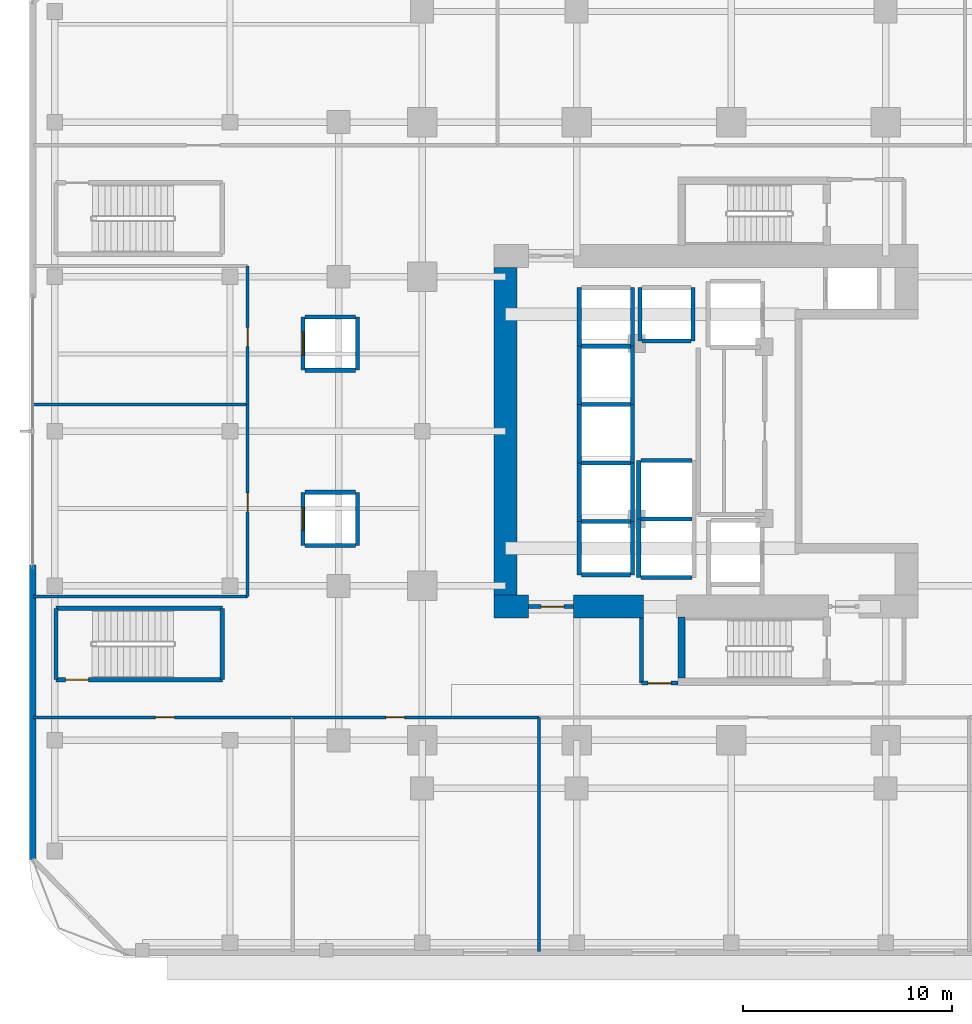
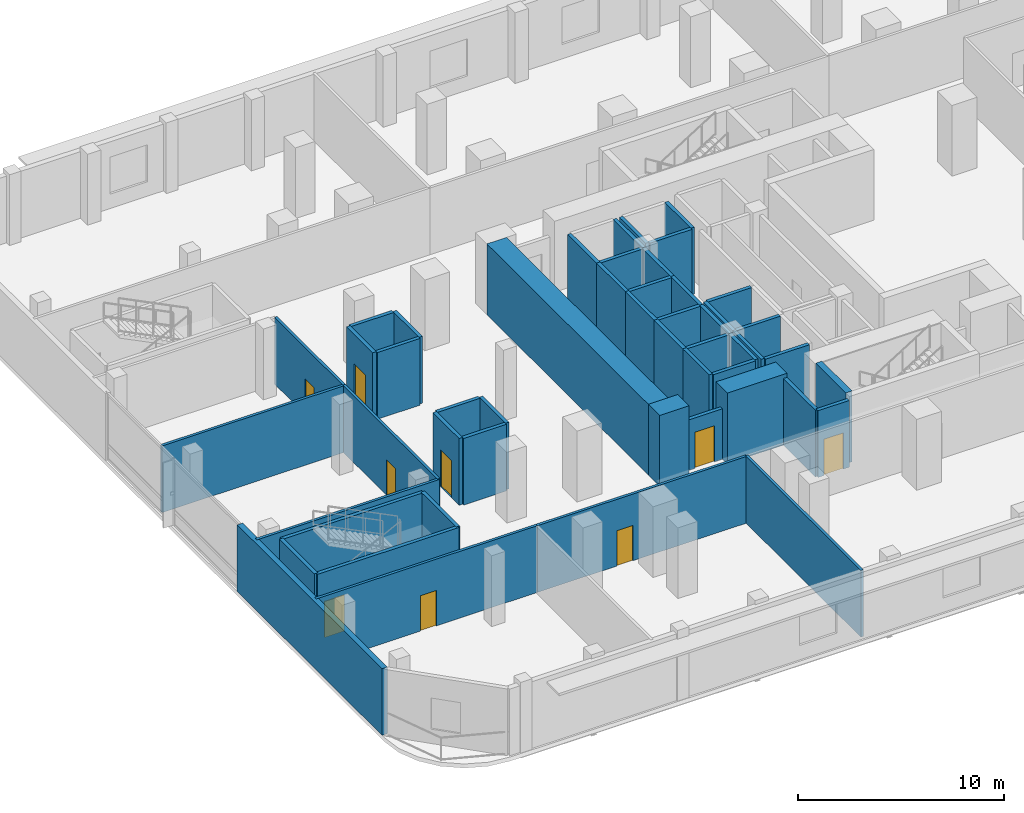
# One storey, part 8 of 19: 50 walls, 9 doors, 9 openings.
"""IFC4 building model written with IfcOpenShell, lengths in metres."""

from ifc_helpers import new_model, si_unit, direction, frame, frame_2d, origin, place, context, subcontext, project, spatial, rectangle, extrude, material, layer, layer_set, type_object, element, fill, save


model = new_model("IFC4")

# Units and contexts
model_context = context("Model", 3, precision=1e-05, world=origin(), true_north=direction((0.0, 1.0)))
body_context = subcontext(model_context, "Body", "Model", "MODEL_VIEW")
ifc_project = project(units=[si_unit("LENGTHUNIT", "METRE"), si_unit("AREAUNIT", "SQUARE_METRE"), si_unit("VOLUMEUNIT", "CUBIC_METRE"), si_unit("PLANEANGLEUNIT", "RADIAN"), si_unit("MASSUNIT", "GRAM", prefix="KILO")], contexts=[model_context])

# Site, building, storey
site_placement = place(None, origin())
site = spatial("IfcSite", under=ifc_project, at=site_placement, CompositionType="ELEMENT")
building_placement = place(site_placement, origin())
building = spatial("IfcBuilding", under=site, at=building_placement, Name="Khorvyn Point Tower", CompositionType="ELEMENT")
storey_placement = place(building_placement, frame((0.0, 0.0, 17.39990234375)))
storey = spatial("IfcBuildingStorey", under=building, at=storey_placement, Name="L05", CompositionType="ELEMENT", Elevation=17.39990234375)

# Wall, opening, door
ifc_material_1 = material(Name="Concrete C40/50", Category="concrete")
ifc_layer_1 = layer(ifc_material_1, 0.199951171875)
ifc_layer_set_1 = layer_set([ifc_layer_1], Name="Concrete C40/50 Fire-Lobby Compartment Wall 200")
wall_type_1 = type_object("IfcWallType", Name="Concrete C40/50 Fire-Lobby Compartment Wall 200", PredefinedType="SOLIDWALL", material=ifc_layer_set_1)
wall_1_placement = place(storey_placement, frame((-9.699951171875, -8.39990234375, 0.0), z_axis=(0.0, 0.0, 1.0), x_axis=(1.0, 0.0, 0.0)))
wall_1 = element("IfcWall", 1, at=wall_1_placement, inside=storey, type_object=wall_type_1, Name="Wall", PredefinedType="SOLIDWALL", context=body_context, shape_type="SweptSolid", body=[
    extrude(rectangle(XDim=2.14990234375, YDim=0.199951171875, at=frame_2d((1.074951171875, 0.0))), origin(), (0.0, 0.0, 1.0), 3.0),
])
opening_1_placement = place(wall_1_placement, frame((0.597900390625, 0.0, 0.0)))
opening_1 = element("IfcOpeningElement", 2, at=opening_1_placement, cuts=wall_1, Name="Opening ID-FL90", PredefinedType="OPENING", context=body_context, shape_type="SweptSolid", body=[
    extrude(rectangle(XDim=1.10009765625, YDim=2.14990234375, at=frame_2d((0.550048828125, 1.074951171875))), frame((0.0, 0.10986328125, 0.0), z_axis=(0.0, -1.0, 0.0), x_axis=(1.0, 0.0, 0.0)), (0.0, 0.0, 1.0), 0.219970703125),
])
ifc_material_2 = material(Name="Galvanised powder-coated steel", Category="steel")
door_type_1 = type_object("IfcDoorType", Name="Fire-Rated Steel Lobby and Stair Door 1100x2150", OperationType="NOTDEFINED", PredefinedType="DOOR", material=ifc_material_2)
door_1_placement = place(opening_1_placement, origin())
door_1 = element("IfcDoor", 3, at=door_1_placement, inside=storey, type_object=door_type_1, Name="Door", OperationType="SINGLE_SWING_LEFT", OverallHeight=2.14990234375, OverallWidth=1.10009765625, PredefinedType="DOOR", context=body_context, shape_type="SweptSolid", body=[
    extrude(rectangle(XDim=1.10009765625, YDim=2.14990234375, at=frame_2d((0.550048828125, 1.074951171875))), frame((0.0, 0.02490234375, 0.0), z_axis=(0.0, -1.0, 0.0), x_axis=(1.0, 0.0, 0.0)), (0.0, 0.0, 1.0), 0.050048828125),
])
fill(opening_1, door_1)

wall_2_placement = place(storey_placement, frame((-4.300048828125, -12.06005859375, 0.0), z_axis=(0.0, 0.0, 1.0), x_axis=(1.0, 0.0, 0.0)))
wall_2 = element("IfcWall", 4, at=wall_2_placement, inside=storey, type_object=wall_type_1, Name="Wall", PredefinedType="SOLIDWALL", context=body_context, shape_type="SweptSolid", body=[
    extrude(rectangle(XDim=1.75, YDim=0.199951171875, at=frame_2d((0.875, 0.0))), origin(), (0.0, 0.0, 1.0), 3.960205078125),
])
opening_2_placement = place(wall_2_placement, frame((0.324951171875, 0.0, 0.0)))
opening_2 = element("IfcOpeningElement", 5, at=opening_2_placement, cuts=wall_2, Name="Opening ID-FL90", PredefinedType="OPENING", context=body_context, shape_type="SweptSolid", body=[
    extrude(rectangle(XDim=1.10009765625, YDim=2.14990234375, at=frame_2d((0.550048828125, 1.074951171875))), frame((0.0, 0.10986328125, 0.0), z_axis=(0.0, -1.0, 0.0), x_axis=(1.0, 0.0, 0.0)), (0.0, 0.0, 1.0), 0.219970703125),
])
door_2_placement = place(opening_2_placement, origin())
door_2 = element("IfcDoor", 6, at=door_2_placement, inside=storey, type_object=door_type_1, Name="Door", OperationType="SINGLE_SWING_LEFT", OverallHeight=2.14990234375, OverallWidth=1.10009765625, PredefinedType="DOOR", context=body_context, shape_type="SweptSolid", body=[
    extrude(rectangle(XDim=1.10009765625, YDim=2.14990234375, at=frame_2d((0.550048828125, 1.074951171875))), frame((0.0, 0.02490234375, 0.0), z_axis=(0.0, -1.0, 0.0), x_axis=(1.0, 0.0, 0.0)), (0.0, 0.0, 1.0), 0.050048828125),
])
fill(opening_2, door_2)

# Walls
wall_3_placement = place(storey_placement, frame((-4.300048828125, -12.06005859375, 0.0), z_axis=(0.0, 0.0, 1.0), x_axis=(0.0, 1.0, 0.0)))
element("IfcWall", 7, at=wall_3_placement, inside=storey, type_object=wall_type_1, Name="Wall", PredefinedType="SOLIDWALL", context=body_context, shape_type="SweptSolid", body=[
    extrude(rectangle(XDim=3.110107421875, YDim=0.199951171875, at=frame_2d((1.55517578125, 0.0))), origin(), (0.0, 0.0, 1.0), 3.960205078125),
])
ifc_layer_2 = layer(ifc_material_1, 0.35009765625)
ifc_layer_set_2 = layer_set([ifc_layer_2], Name="Concrete C40/50 Stair Shaft Structural Wall 350")
wall_type_2 = type_object("IfcWallType", Name="Concrete C40/50 Stair Shaft Structural Wall 350", PredefinedType="SHEAR", material=ifc_layer_set_2)
wall_4_placement = place(storey_placement, frame((-2.3798828125, -11.824951171875, 0.0), z_axis=(0.0, 0.0, 1.0), x_axis=(0.0, 1.0, 0.0)))
element("IfcWall", 8, at=wall_4_placement, inside=storey, type_object=wall_type_2, Name="L05 ST-01 West Shaft Wall", PredefinedType="SHEAR", context=body_context, shape_type="SweptSolid", body=[
    extrude(rectangle(XDim=2.925048828125, YDim=0.35009765625, at=frame_2d((1.46240234375, 0.0))), origin(), (0.0, 0.0, 1.0), 4.2001953125),
])

# Wall, opening, door
ifc_layer_3 = layer(ifc_material_1, 0.199951171875)
ifc_layer_set_3 = layer_set([ifc_layer_3], Name="Concrete C40/50 Structural Hoistway and Stair Shaft Wall 200")
wall_type_3 = type_object("IfcWallType", Name="Concrete C40/50 Structural Hoistway and Stair Shaft Wall 200", PredefinedType="SHEAR", material=ifc_layer_set_3)
wall_5_placement = place(storey_placement, frame((-20.5, -5.47509765625, 0.0), z_axis=(0.0, 0.0, 1.0), x_axis=(0.0, 1.0, 0.0)))
wall_5 = element("IfcWall", 9, at=wall_5_placement, inside=storey, type_object=wall_type_3, Name="Wall", PredefinedType="SHEAR", context=body_context, shape_type="SweptSolid", body=[
    extrude(rectangle(XDim=2.550048828125, YDim=0.199951171875, at=frame_2d((1.27490234375, 0.0))), origin(), (0.0, 0.0, 1.0), 3.960205078125),
])
opening_3_placement = place(wall_5_placement, frame((0.72509765625, 0.0, 0.0)))
opening_3 = element("IfcOpeningElement", 10, at=opening_3_placement, cuts=wall_5, Name="Opening LD-1122", PredefinedType="OPENING", context=body_context, shape_type="SweptSolid", body=[
    extrude(rectangle(XDim=1.10009765625, YDim=2.199951171875, at=frame_2d((0.550048828125, 1.10009765625))), frame((0.0, 0.10986328125, 0.0), z_axis=(0.0, -1.0, 0.0), x_axis=(1.0, 0.0, 0.0)), (0.0, 0.0, 1.0), 0.219970703125),
])
ifc_material_3 = material(Name="Stainless steel 1.4301", Category="steel")
door_type_2 = type_object("IfcDoorType", Name="Stainless Steel Automatic Sliding Lift Landing Door 1100x2200", OperationType="SLIDING_TO_LEFT", PredefinedType="DOOR", material=ifc_material_3)
door_3_placement = place(opening_3_placement, origin())
door_3 = element("IfcDoor", 11, at=door_3_placement, inside=storey, type_object=door_type_2, Name="L05 SL-01 Sliding Lift Landing Door", OperationType="SLIDING_TO_LEFT", OverallHeight=2.199951171875, OverallWidth=1.10009765625, PredefinedType="DOOR", context=body_context, shape_type="SweptSolid", body=[
    extrude(rectangle(XDim=1.10009765625, YDim=2.199951171875, at=frame_2d((0.550048828125, 1.10009765625))), frame((0.0, 0.02490234375, 0.0), z_axis=(0.0, -1.0, 0.0), x_axis=(1.0, 0.0, 0.0)), (0.0, 0.0, 1.0), 0.050048828125),
])
fill(opening_3, door_3)

# Walls
wall_6_placement = place(storey_placement, frame((-17.89990234375, -5.47509765625, 0.0), z_axis=(0.0, 0.0, 1.0), x_axis=(0.0, 1.0, 0.0)))
element("IfcWall", 12, at=wall_6_placement, inside=storey, type_object=wall_type_3, Name="Wall", PredefinedType="SHEAR", context=body_context, shape_type="SweptSolid", body=[
    extrude(rectangle(XDim=2.550048828125, YDim=0.199951171875, at=frame_2d((1.27490234375, 0.0))), origin(), (0.0, 0.0, 1.0), 3.960205078125),
])
for number, where, z_axis, x_axis, name in (
    (13, (-20.39990234375, -5.47509765625, 0.0), (0.0, 0.0, 1.0), (1.0, 0.0, 0.0), "Wall"),
    (14, (-20.39990234375, -2.925048828125, 0.0), (0.0, 0.0, 1.0), (1.0, 0.0, 0.0), "Wall"),
):
    element("IfcWall", number, at=place(storey_placement, frame(where, z_axis=z_axis, x_axis=x_axis)), inside=storey, type_object=wall_type_3, Name=name, PredefinedType="SHEAR", context=body_context, shape_type="SweptSolid", body=[
        extrude(rectangle(XDim=2.39990234375, YDim=0.199951171875, at=frame_2d((1.199951171875, 0.0))), origin(), (0.0, 0.0, 1.0), 3.960205078125),
    ])

# Wall, opening, door
wall_7_placement = place(storey_placement, frame((-20.5, 2.925048828125, 0.0), z_axis=(0.0, 0.0, 1.0), x_axis=(0.0, 1.0, 0.0)))
wall_7 = element("IfcWall", 15, at=wall_7_placement, inside=storey, type_object=wall_type_3, Name="Wall", PredefinedType="SHEAR", context=body_context, shape_type="SweptSolid", body=[
    extrude(rectangle(XDim=2.550048828125, YDim=0.199951171875, at=frame_2d((1.27490234375, 0.0))), origin(), (0.0, 0.0, 1.0), 3.960205078125),
])
opening_4_placement = place(wall_7_placement, frame((0.72509765625, 0.0, 0.0)))
opening_4 = element("IfcOpeningElement", 16, at=opening_4_placement, cuts=wall_7, Name="Opening LD-1122", PredefinedType="OPENING", context=body_context, shape_type="SweptSolid", body=[
    extrude(rectangle(XDim=1.10009765625, YDim=2.199951171875, at=frame_2d((0.550048828125, 1.10009765625))), frame((0.0, 0.10986328125, 0.0), z_axis=(0.0, -1.0, 0.0), x_axis=(1.0, 0.0, 0.0)), (0.0, 0.0, 1.0), 0.219970703125),
])
door_4_placement = place(opening_4_placement, origin())
door_4 = element("IfcDoor", 17, at=door_4_placement, inside=storey, type_object=door_type_2, Name="L05 SL-02 Sliding Lift Landing Door", OperationType="SLIDING_TO_LEFT", OverallHeight=2.199951171875, OverallWidth=1.10009765625, PredefinedType="DOOR", context=body_context, shape_type="SweptSolid", body=[
    extrude(rectangle(XDim=1.10009765625, YDim=2.199951171875, at=frame_2d((0.550048828125, 1.10009765625))), frame((0.0, 0.02490234375, 0.0), z_axis=(0.0, -1.0, 0.0), x_axis=(1.0, 0.0, 0.0)), (0.0, 0.0, 1.0), 0.050048828125),
])
fill(opening_4, door_4)

# Walls
wall_8_placement = place(storey_placement, frame((-17.89990234375, 2.925048828125, 0.0), z_axis=(0.0, 0.0, 1.0), x_axis=(0.0, 1.0, 0.0)))
element("IfcWall", 18, at=wall_8_placement, inside=storey, type_object=wall_type_3, Name="Wall", PredefinedType="SHEAR", context=body_context, shape_type="SweptSolid", body=[
    extrude(rectangle(XDim=2.550048828125, YDim=0.199951171875, at=frame_2d((1.27490234375, 0.0))), origin(), (0.0, 0.0, 1.0), 3.960205078125),
])
for number, where, z_axis, x_axis, name in (
    (19, (-20.39990234375, 2.925048828125, 0.0), (0.0, 0.0, 1.0), (1.0, 0.0, 0.0), "Wall"),
    (20, (-20.39990234375, 5.47509765625, 0.0), (0.0, 0.0, 1.0), (1.0, 0.0, 0.0), "Wall"),
):
    element("IfcWall", number, at=place(storey_placement, frame(where, z_axis=z_axis, x_axis=x_axis)), inside=storey, type_object=wall_type_3, Name=name, PredefinedType="SHEAR", context=body_context, shape_type="SweptSolid", body=[
        extrude(rectangle(XDim=2.39990234375, YDim=0.199951171875, at=frame_2d((1.199951171875, 0.0))), origin(), (0.0, 0.0, 1.0), 3.960205078125),
    ])
for number, where, z_axis, x_axis, name in (
    (21, (-7.27490234375, -6.875, 0.0), (0.0, 0.0, 1.0), (0.0, 1.0, 0.0), "Wall"),
    (22, (-4.72509765625, -6.875, 0.0), (0.0, 0.0, 1.0), (0.0, 1.0, 0.0), "Wall"),
):
    element("IfcWall", number, at=place(storey_placement, frame(where, z_axis=z_axis, x_axis=x_axis)), inside=storey, type_object=wall_type_3, Name=name, PredefinedType="SHEAR", context=body_context, shape_type="SweptSolid", body=[
        extrude(rectangle(XDim=2.550048828125, YDim=0.199951171875, at=frame_2d((1.27490234375, 0.0))), origin(), (0.0, 0.0, 1.0), 3.960205078125),
    ])
for number, where, z_axis, x_axis, name in (
    (23, (-7.175048828125, -6.875, 0.0), (0.0, 0.0, 1.0), (1.0, 0.0, 0.0), "Wall"),
    (24, (-7.175048828125, -4.324951171875, 0.0), (0.0, 0.0, 1.0), (1.0, 0.0, 0.0), "Wall"),
):
    element("IfcWall", number, at=place(storey_placement, frame(where, z_axis=z_axis, x_axis=x_axis)), inside=storey, type_object=wall_type_3, Name=name, PredefinedType="SHEAR", context=body_context, shape_type="SweptSolid", body=[
        extrude(rectangle(XDim=2.35009765625, YDim=0.199951171875, at=frame_2d((1.175048828125, 0.0))), origin(), (0.0, 0.0, 1.0), 3.960205078125),
    ])
for number, where, z_axis, x_axis, name in (
    (25, (-7.27490234375, -4.324951171875, 0.0), (0.0, 0.0, 1.0), (0.0, 1.0, 0.0), "Wall"),
    (26, (-4.72509765625, -4.324951171875, 0.0), (0.0, 0.0, 1.0), (0.0, 1.0, 0.0), "Wall"),
):
    element("IfcWall", number, at=place(storey_placement, frame(where, z_axis=z_axis, x_axis=x_axis)), inside=storey, type_object=wall_type_3, Name=name, PredefinedType="SHEAR", context=body_context, shape_type="SweptSolid", body=[
        extrude(rectangle(XDim=2.800048828125, YDim=0.199951171875, at=frame_2d((1.39990234375, 0.0))), origin(), (0.0, 0.0, 1.0), 3.960205078125),
    ])
wall_9_placement = place(storey_placement, frame((-7.175048828125, -1.52490234375, 0.0), z_axis=(0.0, 0.0, 1.0), x_axis=(1.0, 0.0, 0.0)))
element("IfcWall", 27, at=wall_9_placement, inside=storey, type_object=wall_type_3, Name="Wall", PredefinedType="SHEAR", context=body_context, shape_type="SweptSolid", body=[
    extrude(rectangle(XDim=2.35009765625, YDim=0.199951171875, at=frame_2d((1.175048828125, 0.0))), origin(), (0.0, 0.0, 1.0), 3.960205078125),
])
for number, where, z_axis, x_axis, name in (
    (28, (-7.27490234375, -1.52490234375, 0.0), (0.0, 0.0, 1.0), (0.0, 1.0, 0.0), "Wall"),
    (29, (-4.72509765625, -1.52490234375, 0.0), (0.0, 0.0, 1.0), (0.0, 1.0, 0.0), "Wall"),
):
    element("IfcWall", number, at=place(storey_placement, frame(where, z_axis=z_axis, x_axis=x_axis)), inside=storey, type_object=wall_type_3, Name=name, PredefinedType="SHEAR", context=body_context, shape_type="SweptSolid", body=[
        extrude(rectangle(XDim=2.7998046875, YDim=0.199951171875, at=frame_2d((1.39990234375, 0.0))), origin(), (0.0, 0.0, 1.0), 3.960205078125),
    ])
wall_10_placement = place(storey_placement, frame((-7.175048828125, 1.27490234375, 0.0), z_axis=(0.0, 0.0, 1.0), x_axis=(1.0, 0.0, 0.0)))
element("IfcWall", 30, at=wall_10_placement, inside=storey, type_object=wall_type_3, Name="Wall", PredefinedType="SHEAR", context=body_context, shape_type="SweptSolid", body=[
    extrude(rectangle(XDim=2.35009765625, YDim=0.199951171875, at=frame_2d((1.175048828125, 0.0))), origin(), (0.0, 0.0, 1.0), 3.960205078125),
])
for number, where, z_axis, x_axis, name in (
    (31, (-7.27490234375, 1.27490234375, 0.0), (0.0, 0.0, 1.0), (0.0, 1.0, 0.0), "Wall"),
    (32, (-4.72509765625, 1.27490234375, 0.0), (0.0, 0.0, 1.0), (0.0, 1.0, 0.0), "Wall"),
):
    element("IfcWall", number, at=place(storey_placement, frame(where, z_axis=z_axis, x_axis=x_axis)), inside=storey, type_object=wall_type_3, Name=name, PredefinedType="SHEAR", context=body_context, shape_type="SweptSolid", body=[
        extrude(rectangle(XDim=2.800048828125, YDim=0.199951171875, at=frame_2d((1.39990234375, 0.0))), origin(), (0.0, 0.0, 1.0), 3.960205078125),
    ])
wall_11_placement = place(storey_placement, frame((-7.175048828125, 4.074951171875, 0.0), z_axis=(0.0, 0.0, 1.0), x_axis=(1.0, 0.0, 0.0)))
element("IfcWall", 33, at=wall_11_placement, inside=storey, type_object=wall_type_3, Name="Wall", PredefinedType="SHEAR", context=body_context, shape_type="SweptSolid", body=[
    extrude(rectangle(XDim=2.35009765625, YDim=0.199951171875, at=frame_2d((1.175048828125, 0.0))), origin(), (0.0, 0.0, 1.0), 3.960205078125),
])
for number, where, z_axis, x_axis, name in (
    (34, (-7.27490234375, 4.074951171875, 0.0), (0.0, 0.0, 1.0), (0.0, 1.0, 0.0), "Wall"),
    (35, (-4.72509765625, 4.074951171875, 0.0), (0.0, 0.0, 1.0), (0.0, 1.0, 0.0), "Wall"),
):
    element("IfcWall", number, at=place(storey_placement, frame(where, z_axis=z_axis, x_axis=x_axis)), inside=storey, type_object=wall_type_3, Name=name, PredefinedType="SHEAR", context=body_context, shape_type="SweptSolid", body=[
        extrude(rectangle(XDim=2.800048828125, YDim=0.199951171875, at=frame_2d((1.39990234375, 0.0))), origin(), (0.0, 0.0, 1.0), 3.960205078125),
    ])
for number, where, z_axis, x_axis, name in (
    (36, (-4.375, 4.324951171875, 0.0), (0.0, 0.0, 1.0), (0.0, 1.0, 0.0), "Wall"),
    (37, (-1.824951171875, 4.324951171875, 0.0), (0.0, 0.0, 1.0), (0.0, 1.0, 0.0), "Wall"),
):
    element("IfcWall", number, at=place(storey_placement, frame(where, z_axis=z_axis, x_axis=x_axis)), inside=storey, type_object=wall_type_3, Name=name, PredefinedType="SHEAR", context=body_context, shape_type="SweptSolid", body=[
        extrude(rectangle(XDim=2.550048828125, YDim=0.199951171875, at=frame_2d((1.27490234375, 0.0))), origin(), (0.0, 0.0, 1.0), 3.960205078125),
    ])
wall_12_placement = place(storey_placement, frame((-4.27490234375, 4.324951171875, 0.0), z_axis=(0.0, 0.0, 1.0), x_axis=(1.0, 0.0, 0.0)))
element("IfcWall", 38, at=wall_12_placement, inside=storey, type_object=wall_type_3, Name="Wall", PredefinedType="SHEAR", context=body_context, shape_type="SweptSolid", body=[
    extrude(rectangle(XDim=2.349853515625, YDim=0.199951171875, at=frame_2d((1.1748046875, 0.0))), origin(), (0.0, 0.0, 1.0), 3.960205078125),
])
wall_13_placement = place(storey_placement, frame((-4.425048828125, -7.0, 0.0), z_axis=(0.0, 0.0, 1.0), x_axis=(0.0, 1.0, 0.0)))
element("IfcWall", 39, at=wall_13_placement, inside=storey, type_object=wall_type_3, Name="Wall", PredefinedType="SHEAR", context=body_context, shape_type="SweptSolid", body=[
    extrude(rectangle(XDim=2.800048828125, YDim=0.199951171875, at=frame_2d((1.39990234375, 0.0))), origin(), (0.0, 0.0, 1.0), 3.960205078125),
])
for number, where, z_axis, x_axis, name in (
    (40, (-4.324951171875, -7.0, 0.0), (0.0, 0.0, 1.0), (1.0, 0.0, 0.0), "Wall"),
    (41, (-4.324951171875, -4.199951171875, 0.0), (0.0, 0.0, 1.0), (1.0, 0.0, 0.0), "Wall"),
):
    element("IfcWall", number, at=place(storey_placement, frame(where, z_axis=z_axis, x_axis=x_axis)), inside=storey, type_object=wall_type_3, Name=name, PredefinedType="SHEAR", context=body_context, shape_type="SweptSolid", body=[
        extrude(rectangle(XDim=2.449951171875, YDim=0.199951171875, at=frame_2d((1.22509765625, 0.0))), origin(), (0.0, 0.0, 1.0), 3.960205078125),
    ])
wall_14_placement = place(storey_placement, frame((-4.425048828125, -4.199951171875, 0.0), z_axis=(0.0, 0.0, 1.0), x_axis=(0.0, 1.0, 0.0)))
element("IfcWall", 42, at=wall_14_placement, inside=storey, type_object=wall_type_3, Name="Wall", PredefinedType="SHEAR", context=body_context, shape_type="SweptSolid", body=[
    extrude(rectangle(XDim=2.800048828125, YDim=0.199951171875, at=frame_2d((1.39990234375, 0.0))), origin(), (0.0, 0.0, 1.0), 3.960205078125),
])
wall_15_placement = place(storey_placement, frame((-4.324951171875, -1.39990234375, 0.0), z_axis=(0.0, 0.0, 1.0), x_axis=(1.0, 0.0, 0.0)))
element("IfcWall", 43, at=wall_15_placement, inside=storey, type_object=wall_type_3, Name="Wall", PredefinedType="SHEAR", context=body_context, shape_type="SweptSolid", body=[
    extrude(rectangle(XDim=2.449951171875, YDim=0.199951171875, at=frame_2d((1.22509765625, 0.0))), origin(), (0.0, 0.0, 1.0), 3.960205078125),
])
for number, where, z_axis, x_axis, name in (
    (44, (-32.330078125, -11.89990234375, 0.0), (0.0, 0.0, 1.0), (0.0, 1.0, 0.0), "Wall"),
    (45, (-24.3701171875, -8.47998046875, 0.0), (0.0, 0.0, 1.0), (0.0, -1.0, 0.0), "Wall"),
):
    element("IfcWall", number, at=place(storey_placement, frame(where, z_axis=z_axis, x_axis=x_axis)), inside=storey, type_object=wall_type_3, Name=name, PredefinedType="SHEAR", context=body_context, shape_type="SweptSolid", body=[
        extrude(rectangle(XDim=3.419921875, YDim=0.199951171875, at=frame_2d((1.7099609375, 0.0))), origin(), (0.0, 0.0, 1.0), 3.960205078125),
    ])

# Wall, opening, door
wall_16_placement = place(storey_placement, frame((-24.3701171875, -11.89990234375, 0.0), z_axis=(0.0, 0.0, 1.0), x_axis=(-1.0, 0.0, 0.0)))
wall_16 = element("IfcWall", 46, at=wall_16_placement, inside=storey, type_object=wall_type_3, Name="Wall", PredefinedType="SHEAR", context=body_context, shape_type="SweptSolid", body=[
    extrude(rectangle(XDim=7.9599609375, YDim=0.199951171875, at=frame_2d((3.97998046875, 0.0))), origin(), (0.0, 0.0, 1.0), 3.960205078125),
])
opening_5_placement = place(wall_16_placement, frame((6.39990234375, 0.0, 0.0)))
opening_5 = element("IfcOpeningElement", 47, at=opening_5_placement, cuts=wall_16, Name="Opening ID-FL90", PredefinedType="OPENING", context=body_context, shape_type="SweptSolid", body=[
    extrude(rectangle(XDim=1.10009765625, YDim=2.14990234375, at=frame_2d((0.550048828125, 1.074951171875))), frame((0.0, 0.10986328125, 0.0), z_axis=(0.0, -1.0, 0.0), x_axis=(1.0, 0.0, 0.0)), (0.0, 0.0, 1.0), 0.219970703125),
])
door_5_placement = place(opening_5_placement, origin())
door_5 = element("IfcDoor", 48, at=door_5_placement, inside=storey, type_object=door_type_1, Name="L05 ST-S1 Smokeproof Landing Door", OperationType="SINGLE_SWING_RIGHT", OverallHeight=2.14990234375, OverallWidth=1.10009765625, PredefinedType="DOOR", context=body_context, shape_type="SweptSolid", body=[
    extrude(rectangle(XDim=1.10009765625, YDim=2.14990234375, at=frame_2d((0.550048828125, 1.074951171875))), frame((0.0, 0.02490234375, 0.0), z_axis=(0.0, -1.0, 0.0), x_axis=(1.0, 0.0, 0.0)), (0.0, 0.0, 1.0), 0.050048828125),
])
fill(opening_5, door_5)

# Walls
wall_17_placement = place(storey_placement, frame((-32.330078125, -8.47998046875, 0.0), z_axis=(0.0, 0.0, 1.0), x_axis=(1.0, 0.0, 0.0)))
element("IfcWall", 49, at=wall_17_placement, inside=storey, type_object=wall_type_3, Name="Wall", PredefinedType="SHEAR", context=body_context, shape_type="SweptSolid", body=[
    extrude(rectangle(XDim=7.9599609375, YDim=0.199951171875, at=frame_2d((3.97998046875, 0.0))), origin(), (0.0, 0.0, 1.0), 3.960205078125),
])
ifc_material_4 = material(Name="Concrete C50/60", Category="concrete")
ifc_layer_4 = layer(ifc_material_4, 1.10009765625)
ifc_layer_set_4 = layer_set([ifc_layer_4], Name="Concrete C50/60 Core Shear Wall 1100")
wall_type_4 = type_object("IfcWallType", Name="Concrete C50/60 Core Shear Wall 1100", PredefinedType="SHEAR", material=ifc_layer_set_4)
wall_18_placement = place(storey_placement, frame((-11.35009765625, -8.39990234375, 0.0), z_axis=(0.0, 0.0, 1.0), x_axis=(1.0, 0.0, 0.0)))
element("IfcWall", 50, at=wall_18_placement, inside=storey, type_object=wall_type_4, Name="Wall", PredefinedType="SHEAR", context=body_context, shape_type="SweptSolid", body=[
    extrude(rectangle(XDim=1.650146484375, YDim=1.10009765625, at=frame_2d((0.8251953125, 0.0))), origin(), (0.0, 0.0, 1.0), 4.2001953125),
])
wall_19_placement = place(storey_placement, frame((-7.550048828125, -8.39990234375, 0.0), z_axis=(0.0, 0.0, 1.0), x_axis=(1.0, 0.0, 0.0)))
element("IfcWall", 51, at=wall_19_placement, inside=storey, type_object=wall_type_4, Name="Wall", PredefinedType="SHEAR", context=body_context, shape_type="SweptSolid", body=[
    extrude(rectangle(XDim=3.35009765625, YDim=1.10009765625, at=frame_2d((1.675048828125, 0.0))), origin(), (0.0, 0.0, 1.0), 4.2001953125),
])
wall_20_placement = place(storey_placement, frame((-10.800048828125, -7.85009765625, 0.0), z_axis=(0.0, 0.0, 1.0), x_axis=(0.0, 1.0, 0.0)))
element("IfcWall", 52, at=wall_20_placement, inside=storey, type_object=wall_type_4, Name="Wall", PredefinedType="SHEAR", context=body_context, shape_type="SweptSolid", body=[
    extrude(rectangle(XDim=15.7001953125, YDim=1.10009765625, at=frame_2d((7.85009765625, 0.0))), origin(), (0.0, 0.0, 1.0), 4.2001953125),
])

# Wall, opening, door
ifc_material_5 = material(Name="Moisture-resistant gypsum and cement board", Category="gypsum")
ifc_layer_5 = layer(ifc_material_5, 0.14990234375)
ifc_layer_set_5 = layer_set([ifc_layer_5], Name="Moisture-Resistant Wet-Room Partition Wall 150")
wall_type_5 = type_object("IfcWallType", Name="Moisture-Resistant Wet-Room Partition Wall 150", PredefinedType="PARTITIONING", material=ifc_layer_set_5)
wall_21_placement = place(storey_placement, frame((-23.159912109375, -7.919921875, 0.0), z_axis=(0.0, 0.0, 1.0), x_axis=(0.0, 1.0, 0.0)))
wall_21 = element("IfcWall", 53, at=wall_21_placement, inside=storey, type_object=wall_type_5, Name="Wall", PredefinedType="PARTITIONING", context=body_context, shape_type="SweptSolid", body=[
    extrude(rectangle(XDim=9.199951171875, YDim=0.14990234375, at=frame_2d((4.60009765625, 0.0))), origin(), (0.0, 0.0, 1.0), 3.960205078125),
])
opening_6_placement = place(wall_21_placement, frame((4.061279296875, 0.0, 0.0)))
opening_6 = element("IfcOpeningElement", 54, at=opening_6_placement, cuts=wall_21, Name="Opening ID-RM90", PredefinedType="OPENING", context=body_context, shape_type="SweptSolid", body=[
    extrude(rectangle(XDim=0.89990234375, YDim=2.10009765625, at=frame_2d((0.449951171875, 1.050048828125))), frame((0.0, 0.0849609375, 0.0), z_axis=(0.0, -1.0, 0.0), x_axis=(1.0, 0.0, 0.0)), (0.0, 0.0, 1.0), 0.169921875),
])
ifc_material_6 = material(Name="Engineered oak veneer timber", Category="wood")
door_type_3 = type_object("IfcDoorType", Name="Flush Engineered Timber Room Door 900x2100", OperationType="NOTDEFINED", PredefinedType="DOOR", material=ifc_material_6)
door_6_placement = place(opening_6_placement, origin())
door_6 = element("IfcDoor", 55, at=door_6_placement, inside=storey, type_object=door_type_3, Name="Door", OperationType="SINGLE_SWING_LEFT", OverallHeight=2.10009765625, OverallWidth=0.89990234375, PredefinedType="DOOR", context=body_context, shape_type="SweptSolid", body=[
    extrude(rectangle(XDim=0.89990234375, YDim=2.10009765625, at=frame_2d((0.449951171875, 1.050048828125))), frame((0.0, 0.02490234375, 0.0), z_axis=(0.0, -1.0, 0.0), x_axis=(1.0, 0.0, 0.0)), (0.0, 0.0, 1.0), 0.050048828125),
])
fill(opening_6, door_6)

wall_22_placement = place(storey_placement, frame((-23.159912109375, 1.280029296875, 0.0), z_axis=(0.0, 0.0, 1.0), x_axis=(0.0, 1.0, 0.0)))
wall_22 = element("IfcWall", 56, at=wall_22_placement, inside=storey, type_object=wall_type_5, Name="Wall", PredefinedType="PARTITIONING", context=body_context, shape_type="SweptSolid", body=[
    extrude(rectangle(XDim=6.639892578125, YDim=0.14990234375, at=frame_2d((3.31982421875, 0.0))), origin(), (0.0, 0.0, 1.0), 3.960205078125),
])
opening_7_placement = place(wall_22_placement, frame((2.78271484375, 0.0, 0.0)))
opening_7 = element("IfcOpeningElement", 57, at=opening_7_placement, cuts=wall_22, Name="Opening ID-RM90", PredefinedType="OPENING", context=body_context, shape_type="SweptSolid", body=[
    extrude(rectangle(XDim=0.89990234375, YDim=2.10009765625, at=frame_2d((0.449951171875, 1.050048828125))), frame((0.0, 0.0849609375, 0.0), z_axis=(0.0, -1.0, 0.0), x_axis=(1.0, 0.0, 0.0)), (0.0, 0.0, 1.0), 0.169921875),
])
door_7_placement = place(opening_7_placement, origin())
door_7 = element("IfcDoor", 58, at=door_7_placement, inside=storey, type_object=door_type_3, Name="Door", OperationType="SINGLE_SWING_RIGHT", OverallHeight=2.10009765625, OverallWidth=0.89990234375, PredefinedType="DOOR", context=body_context, shape_type="SweptSolid", body=[
    extrude(rectangle(XDim=0.89990234375, YDim=2.10009765625, at=frame_2d((0.449951171875, 1.050048828125))), frame((0.0, 0.02490234375, 0.0), z_axis=(0.0, -1.0, 0.0), x_axis=(1.0, 0.0, 0.0)), (0.0, 0.0, 1.0), 0.050048828125),
])
fill(opening_7, door_7)

wall_23_placement = place(storey_placement, frame((-33.419921875, -13.699951171875, 0.0), z_axis=(0.0, 0.0, 1.0), x_axis=(1.0, 0.0, 0.0)))
wall_23 = element("IfcWall", 59, at=wall_23_placement, inside=storey, type_object=wall_type_5, Name="Wall", PredefinedType="PARTITIONING", context=body_context, shape_type="SweptSolid", body=[
    extrude(rectangle(XDim=12.419921875, YDim=0.14990234375, at=frame_2d((6.2099609375, 0.0))), origin(), (0.0, 0.0, 1.0), 3.960205078125),
])
opening_8_placement = place(wall_23_placement, frame((5.848876953125, 0.0, 0.0)))
opening_8 = element("IfcOpeningElement", 60, at=opening_8_placement, cuts=wall_23, Name="Opening ID-RM90", PredefinedType="OPENING", context=body_context, shape_type="SweptSolid", body=[
    extrude(rectangle(XDim=0.89990234375, YDim=2.10009765625, at=frame_2d((0.449951171875, 1.050048828125))), frame((0.0, 0.0849609375, 0.0), z_axis=(0.0, -1.0, 0.0), x_axis=(1.0, 0.0, 0.0)), (0.0, 0.0, 1.0), 0.169921875),
])
door_8_placement = place(opening_8_placement, origin())
door_8 = element("IfcDoor", 61, at=door_8_placement, inside=storey, type_object=door_type_3, Name="Door", OperationType="SINGLE_SWING_LEFT", OverallHeight=2.10009765625, OverallWidth=0.89990234375, PredefinedType="DOOR", context=body_context, shape_type="SweptSolid", body=[
    extrude(rectangle(XDim=0.89990234375, YDim=2.10009765625, at=frame_2d((0.449951171875, 1.050048828125))), frame((0.0, 0.02490234375, 0.0), z_axis=(0.0, -1.0, 0.0), x_axis=(1.0, 0.0, 0.0)), (0.0, 0.0, 1.0), 0.050048828125),
])
fill(opening_8, door_8)

wall_24_placement = place(storey_placement, frame((-21.0, -13.699951171875, 0.0), z_axis=(0.0, 0.0, 1.0), x_axis=(1.0, 0.0, 0.0)))
wall_24 = element("IfcWall", 62, at=wall_24_placement, inside=storey, type_object=wall_type_5, Name="Wall", PredefinedType="PARTITIONING", context=body_context, shape_type="SweptSolid", body=[
    extrude(rectangle(XDim=11.800048828125, YDim=0.14990234375, at=frame_2d((5.89990234375, 0.0))), origin(), (0.0, 0.0, 1.0), 3.960205078125),
])
opening_9_placement = place(wall_24_placement, frame((4.463623046875, 0.0, 0.0)))
opening_9 = element("IfcOpeningElement", 63, at=opening_9_placement, cuts=wall_24, Name="Opening ID-RM90", PredefinedType="OPENING", context=body_context, shape_type="SweptSolid", body=[
    extrude(rectangle(XDim=0.89990234375, YDim=2.10009765625, at=frame_2d((0.449951171875, 1.050048828125))), frame((0.0, 0.0849609375, 0.0), z_axis=(0.0, -1.0, 0.0), x_axis=(1.0, 0.0, 0.0)), (0.0, 0.0, 1.0), 0.169921875),
])
door_9_placement = place(opening_9_placement, origin())
door_9 = element("IfcDoor", 64, at=door_9_placement, inside=storey, type_object=door_type_3, Name="Door", OperationType="SINGLE_SWING_RIGHT", OverallHeight=2.10009765625, OverallWidth=0.89990234375, PredefinedType="DOOR", context=body_context, shape_type="SweptSolid", body=[
    extrude(rectangle(XDim=0.89990234375, YDim=2.10009765625, at=frame_2d((0.449951171875, 1.050048828125))), frame((0.0, 0.02490234375, 0.0), z_axis=(0.0, -1.0, 0.0), x_axis=(1.0, 0.0, 0.0)), (0.0, 0.0, 1.0), 0.050048828125),
])
fill(opening_9, door_9)

# Walls
for number, where, z_axis, x_axis, name in (
    (65, (-33.419921875, -7.919921875, 0.0), (0.0, 0.0, 1.0), (1.0, 0.0, 0.0), "Wall"),
    (66, (-33.419921875, 1.280029296875, 0.0), (0.0, 0.0, 1.0), (1.0, 0.0, 0.0), "Wall"),
):
    element("IfcWall", number, at=place(storey_placement, frame(where, z_axis=z_axis, x_axis=x_axis)), inside=storey, type_object=wall_type_5, Name=name, PredefinedType="PARTITIONING", context=body_context, shape_type="SweptSolid", body=[
        extrude(rectangle(XDim=10.260009765625, YDim=0.14990234375, at=frame_2d((5.1298828125, 0.0))), origin(), (0.0, 0.0, 1.0), 3.960205078125),
    ])
wall_25_placement = place(storey_placement, frame((-9.199951171875, -24.919921875, 0.0), z_axis=(0.0, 0.0, 1.0), x_axis=(0.0, 1.0, 0.0)))
element("IfcWall", 67, at=wall_25_placement, inside=storey, type_object=wall_type_5, Name="Wall", PredefinedType="PARTITIONING", context=body_context, shape_type="SweptSolid", body=[
    extrude(rectangle(XDim=11.219970703125, YDim=0.14990234375, at=frame_2d((5.60986328125, 0.0))), origin(), (0.0, 0.0, 1.0), 3.960205078125),
])
ifc_material_7 = material(Name="Precast concrete C35/45", Category="concrete")
ifc_layer_6 = layer(ifc_material_7, 0.300048828125)
ifc_layer_set_6 = layer_set([ifc_layer_6], Name="Precast Concrete C35/45 Insulated Podium Facade Wall 300")
wall_type_6 = type_object("IfcWallType", Name="Precast Concrete C35/45 Insulated Podium Facade Wall 300", PredefinedType="SOLIDWALL", material=ifc_layer_set_6)
wall_26_placement = place(storey_placement, frame((-33.449951171875, -20.5, 0.0), z_axis=(0.0, 0.0, 1.0), x_axis=(0.0, 1.0, 0.0)))
element("IfcWall", 68, at=wall_26_placement, inside=storey, type_object=wall_type_6, Name="Wall", PredefinedType="SOLIDWALL", context=body_context, shape_type="SweptSolid", body=[
    extrude(rectangle(XDim=14.090087890625, YDim=0.300048828125, at=frame_2d((7.044921875, 0.0))), origin(), (0.0, 0.0, 1.0), 3.960205078125),
])

save(model, "model.ifc")
